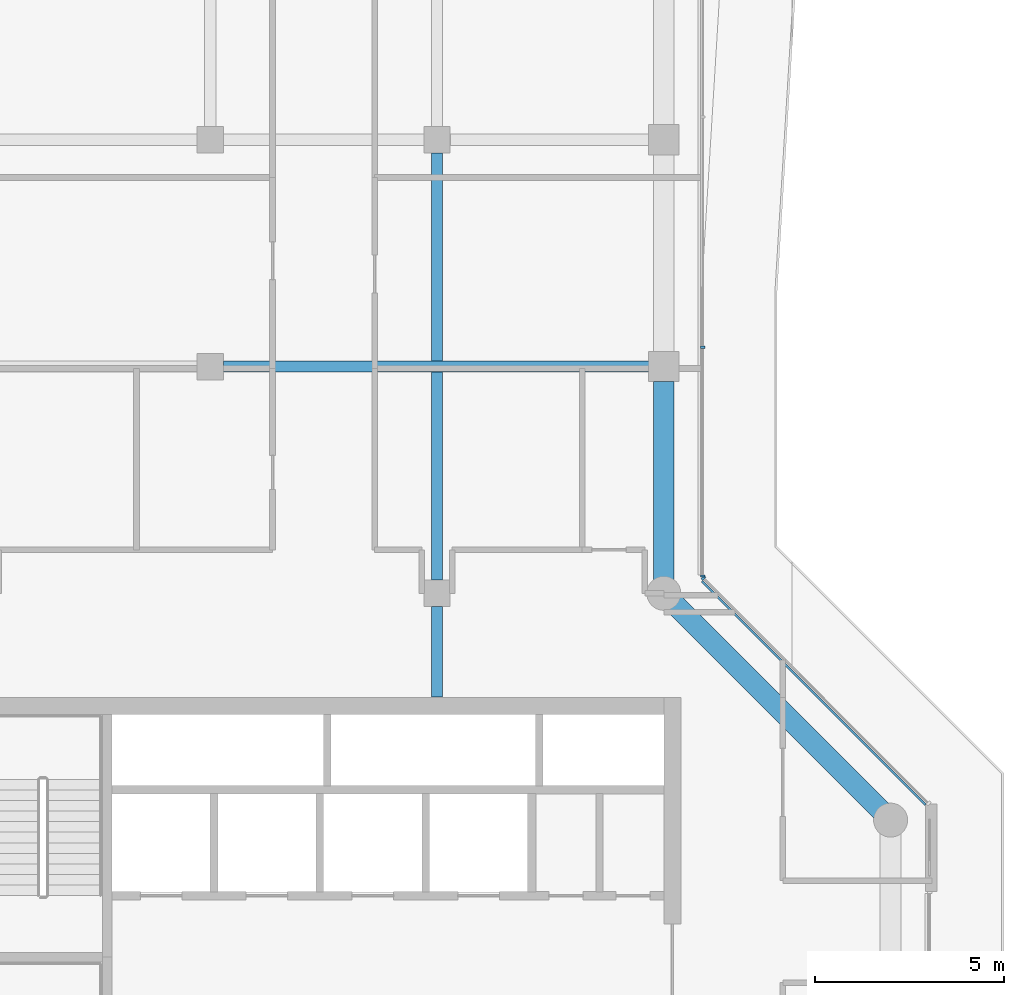
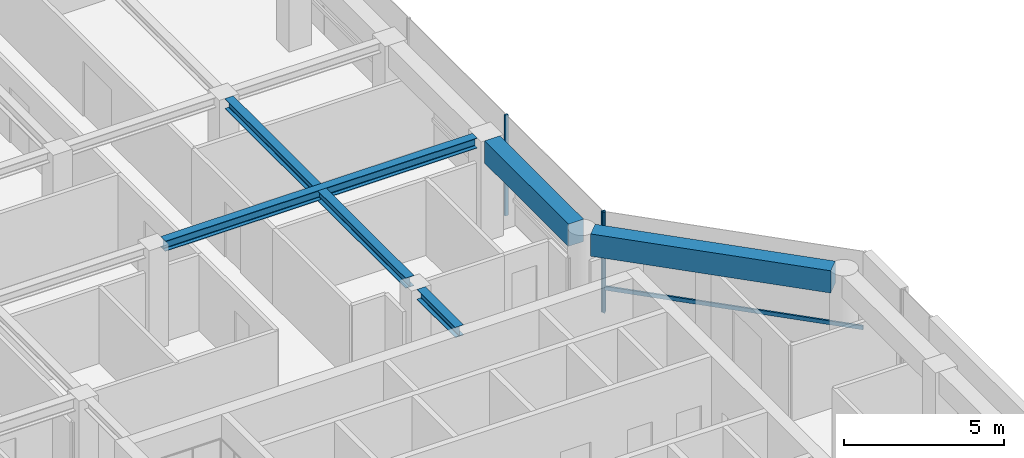
# One storey, part 5 of 19: 5 beams, 4 members, 2 elements without a shape of their own.
"""IFC4 building model written with IfcOpenShell, lengths in metres."""

from ifc_helpers import new_model, si_unit, direction, frame, origin, origin_2d, place, context, subcontext, project, spatial, rectangle, i_section, extrude, material, layer, layer_set, material_profile, profile_set, type_object, element, aggregate, save


model = new_model("IFC4")

# Units and contexts
model_context = context("Model", 3, precision=1e-05, world=origin(), true_north=direction((0.0, 1.0)))
body_context = subcontext(model_context, "Body", "Model", "MODEL_VIEW")
ifc_project = project(units=[si_unit("LENGTHUNIT", "METRE"), si_unit("AREAUNIT", "SQUARE_METRE"), si_unit("VOLUMEUNIT", "CUBIC_METRE"), si_unit("PLANEANGLEUNIT", "RADIAN"), si_unit("MASSUNIT", "GRAM", prefix="KILO")], contexts=[model_context])

# Site, building, storey
site_placement = place(None, origin())
site = spatial("IfcSite", under=ifc_project, at=site_placement, CompositionType="ELEMENT")
building_placement = place(site_placement, origin())
building = spatial("IfcBuilding", under=site, at=building_placement, Name="Welwitschia Terrace Campus", CompositionType="ELEMENT")
storey_placement = place(building_placement, frame((0.0, 0.0, 243.199951171875)))
storey = spatial("IfcBuildingStorey", under=building, at=storey_placement, Name="L54", CompositionType="ELEMENT", Elevation=243.199951171875)

# Beams
ifc_material_1 = material(Name="Steel S355", Category="steel")
ifc_material_profile_1 = material_profile(ifc_material_1, i_section(OverallWidth=0.300048828125, OverallDepth=0.389892578125, WebThickness=0.010986328125, FlangeThickness=0.01904296875, FilletRadius=0.027099609375, at=origin_2d()))
ifc_profile_set_1 = profile_set([ifc_material_profile_1], Name="Steel S355")
beam_type_1 = type_object("IfcBeamType", Name="Interior girder HE 400 A", PredefinedType="BEAM", material=ifc_profile_set_1)
beam_1_placement = place(storey_placement, frame((12.3505859375, 34.0, 3.655029296875), z_axis=(1.0, 0.0, 0.0), x_axis=(0.0, 1.0, 0.0)))
element("IfcBeam", 1, at=beam_1_placement, inside=storey, type_object=beam_type_1, Name="Girder GB5", PredefinedType="BEAM", context=body_context, shape_type="SweptSolid", body=[
    extrude(i_section(OverallWidth=0.300048828125, OverallDepth=0.389892578125, WebThickness=0.010986328125, FlangeThickness=0.01904296875, FilletRadius=0.027099609375, at=origin_2d()), origin(), (0.0, 0.0, 1.0), 11.259033203125),
])
beam_2_placement = place(storey_placement, frame((18.0, 25.2509765625, 3.655029296875), z_axis=(0.0, 1.0, 0.0), x_axis=(-1.0, 0.0, 0.0)))
element("IfcBeam", 2, at=beam_2_placement, inside=storey, type_object=beam_type_1, Name="Girder GB5", PredefinedType="BEAM", context=body_context, shape_type="SweptSolid", body=[
    extrude(i_section(OverallWidth=0.300048828125, OverallDepth=0.389892578125, WebThickness=0.010986328125, FlangeThickness=0.01904296875, FilletRadius=0.027099609375, at=origin_2d()), origin(), (0.0, 0.0, 1.0), 2.3984375),
])
beam_3_placement = place(storey_placement, frame((18.0, 28.3505859375, 3.655029296875), z_axis=(0.0, 1.0, 0.0), x_axis=(-1.0, 0.0, 0.0)))
element("IfcBeam", 3, at=beam_3_placement, inside=storey, type_object=beam_type_1, Name="Girder GB5", PredefinedType="BEAM", context=body_context, shape_type="SweptSolid", body=[
    extrude(i_section(OverallWidth=0.300048828125, OverallDepth=0.389892578125, WebThickness=0.010986328125, FlangeThickness=0.01904296875, FilletRadius=0.027099609375, at=origin_2d()), origin(), (0.0, 0.0, 1.0), 11.298828125),
])

# Curtain wall, member
ifc_material_2 = material(Name="Bronze anodised aluminium", Category="aluminium")
ifc_layer = layer(ifc_material_2, 0.1201171875)
ifc_layer_set = layer_set([ifc_layer], Name="Bronze anodised aluminium")
curtain_wall_type = type_object("IfcCurtainWallType", Name="Curtain wall CW2 tower 6000", PredefinedType="NOTDEFINED", material=ifc_layer_set)
curtain_wall_1_placement = place(storey_placement, origin())
curtain_wall_1 = element("IfcCurtainWall", 4, at=curtain_wall_1_placement, inside=storey, type_object=curtain_wall_type, Name="CW L54.5.0", PredefinedType="NOTDEFINED")
ifc_material_3 = material(Name="Bronze anodised aluminium", Category="aluminium")
ifc_material_profile_2 = material_profile(ifc_material_3, rectangle(XDim=0.1201171875, YDim=0.06005859375, at=origin_2d()))
ifc_profile_set_2 = profile_set([ifc_material_profile_2], Name="Bronze anodised aluminium")
member_type_1 = type_object("IfcMemberType", Name="Mullion 60x120", PredefinedType="MULLION", material=ifc_profile_set_2)
member_1_placement = place(storey_placement, frame((25.05126953125, 28.405517578125, 0.0), z_axis=(0.0, 0.0, 1.0), x_axis=(-0.707106781187, -0.707106781187, 0.0)))
member_1 = element("IfcMember", 5, at=member_1_placement, type_object=member_type_1, Name="Mullion L54.5.0.1", PredefinedType="MULLION", context=body_context, shape_type="SweptSolid", body=[
    extrude(rectangle(XDim=0.1201171875, YDim=0.06005859375, at=origin_2d()), origin(), (0.0, 0.0, 1.0), 3.85009765625),
])

# Curtain wall, members
curtain_wall_2_placement = place(storey_placement, origin())
curtain_wall_2 = element("IfcCurtainWall", 6, at=curtain_wall_2_placement, inside=storey, type_object=curtain_wall_type, Name="CW L54.6.0", PredefinedType="NOTDEFINED")
member_2_placement = place(storey_placement, frame((25.030029296875, 28.45654296875, 0.0), z_axis=(0.0, 0.0, 1.0), x_axis=(-1.0, 0.0, 0.0)))
member_2 = element("IfcMember", 7, at=member_2_placement, type_object=member_type_1, Name="Mullion L54.6.0.0", PredefinedType="MULLION", context=body_context, shape_type="SweptSolid", body=[
    extrude(rectangle(XDim=0.1201171875, YDim=0.06005859375, at=origin_2d()), origin(), (0.0, 0.0, 1.0), 3.85009765625),
])
member_3_placement = place(storey_placement, frame((25.030029296875, 34.512939453125, 0.0), z_axis=(0.0, 0.0, 1.0), x_axis=(-1.0, 0.0, 0.0)))
member_3 = element("IfcMember", 8, at=member_3_placement, type_object=member_type_1, Name="Mullion L54.6.0.1", PredefinedType="MULLION", context=body_context, shape_type="SweptSolid", body=[
    extrude(rectangle(XDim=0.1201171875, YDim=0.06005859375, at=origin_2d()), origin(), (0.0, 0.0, 1.0), 3.85009765625),
])
aggregate(curtain_wall_2, [member_2, member_3])

# Beams
ifc_material_4 = material(Name="Concrete C50/60", Category="concrete")
ifc_material_profile_3 = material_profile(ifc_material_4, rectangle(XDim=0.550048828125, YDim=0.85009765625, at=origin_2d()))
ifc_profile_set_3 = profile_set([ifc_material_profile_3], Name="Concrete C50/60")
beam_type_2 = type_object("IfcBeamType", Name="Ring spandrel 550x850", PredefinedType="SPANDREL", material=ifc_profile_set_3)
beam_4_placement = place(storey_placement, frame((29.74755859375, 22.25244140625, 3.425048828125), z_axis=(-0.707106781187, 0.707106781187, 0.0), x_axis=(-0.707106781187, -0.707106781187, 0.0)))
element("IfcBeam", 9, at=beam_4_placement, inside=storey, type_object=beam_type_2, Name="Spandrel SP3", PredefinedType="SPANDREL", context=body_context, shape_type="SweptSolid", body=[
    extrude(rectangle(XDim=0.550048828125, YDim=0.85009765625, at=origin_2d()), origin(), (0.0, 0.0, 1.0), 7.771240234375),
])
beam_5_placement = place(storey_placement, frame((24.0, 28.35693359375, 3.425048828125), z_axis=(0.0, 1.0, 0.0), x_axis=(-1.0, 0.0, 0.0)))
element("IfcBeam", 10, at=beam_5_placement, inside=storey, type_object=beam_type_2, Name="Spandrel SP3", PredefinedType="SPANDREL", context=body_context, shape_type="SweptSolid", body=[
    extrude(rectangle(XDim=0.550048828125, YDim=0.85009765625, at=origin_2d()), origin(), (0.0, 0.0, 1.0), 5.24267578125),
])

# Member
ifc_material_5 = material(Name="Bronze anodised aluminium", Category="aluminium")
ifc_material_profile_4 = material_profile(ifc_material_5, rectangle(XDim=0.06005859375, YDim=0.14990234375, at=origin_2d()))
ifc_profile_set_4 = profile_set([ifc_material_profile_4], Name="Bronze anodised aluminium")
member_type_2 = type_object("IfcMemberType", Name="Transom 60x150", PredefinedType="USERDEFINED", material=ifc_profile_set_4)
member_4_placement = place(storey_placement, frame((30.923828125, 22.405517578125, 1.0), z_axis=(-0.707106781187, 0.707106781187, 0.0), x_axis=(-0.707106781187, -0.707106781187, 0.0)))
member_4 = element("IfcMember", 11, at=member_4_placement, type_object=member_type_2, Name="Transom L54.5.0", ObjectType="TRANSOM", PredefinedType="USERDEFINED", context=body_context, shape_type="SweptSolid", body=[
    extrude(rectangle(XDim=0.06005859375, YDim=0.14990234375, at=origin_2d()), origin(), (0.0, 0.0, 1.0), 8.365234375),
])

aggregate(curtain_wall_1, [member_1, member_4])

save(model, "model.ifc")
